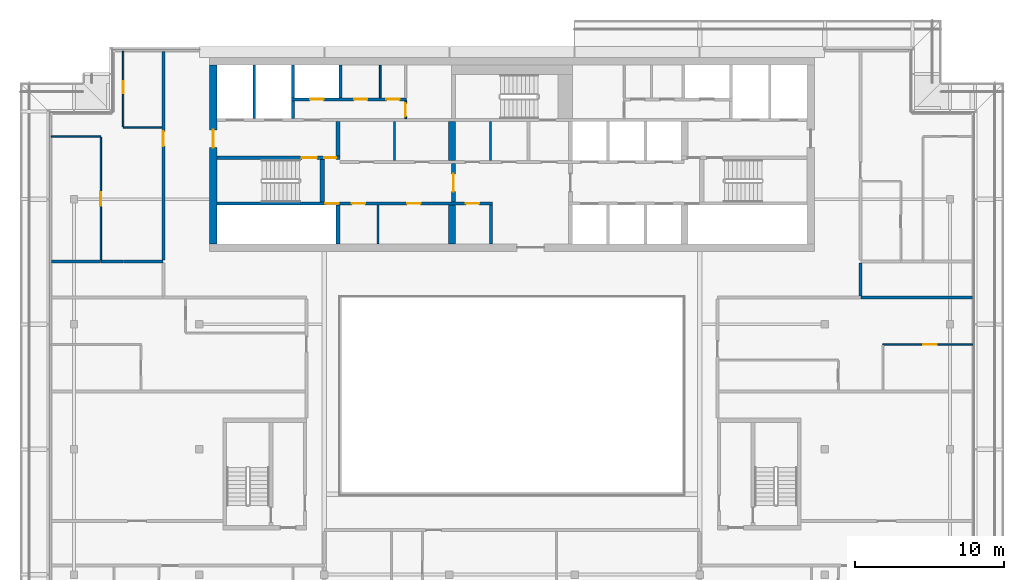
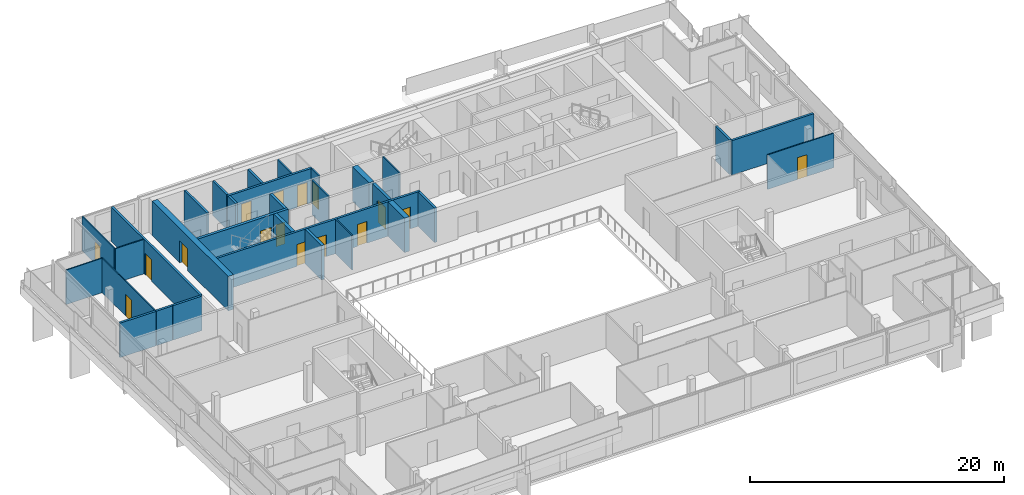
# One storey, part 17 of 27: 31 walls, 16 doors, 16 openings.
"""IFC4 building model written with IfcOpenShell, lengths in metres."""

from ifc_helpers import new_model, si_unit, direction, frame, frame_2d, origin, place, context, subcontext, project, spatial, rectangle, extrude, material, layer, layer_set, type_object, element, fill, save


model = new_model("IFC4")

# Units and contexts
model_context = context("Model", 3, precision=1e-05, world=origin(), true_north=direction((0.0, 1.0)))
body_context = subcontext(model_context, "Body", "Model", "MODEL_VIEW")
ifc_project = project(units=[si_unit("LENGTHUNIT", "METRE"), si_unit("AREAUNIT", "SQUARE_METRE"), si_unit("VOLUMEUNIT", "CUBIC_METRE"), si_unit("PLANEANGLEUNIT", "RADIAN"), si_unit("MASSUNIT", "GRAM", prefix="KILO")], contexts=[model_context])

# Site, building, storey
site_placement = place(None, origin())
site = spatial("IfcSite", under=ifc_project, at=site_placement, CompositionType="ELEMENT")
building_placement = place(site_placement, origin())
building = spatial("IfcBuilding", under=site, at=building_placement, Name="Saffron Gate Tower", CompositionType="ELEMENT")
storey_placement = place(building_placement, frame((0.0, 0.0, 274.35009765625)))
storey = spatial("IfcBuildingStorey", under=building, at=storey_placement, Name="L66", CompositionType="ELEMENT", Elevation=274.35009765625)

# Wall
ifc_material_1 = material(Name="Gypsum board partition on steel studs", Category="steel")
ifc_layer_1 = layer(ifc_material_1, 0.199951171875)
ifc_layer_set_1 = layer_set([ifc_layer_1], Name="CW10 Core partition 200")
wall_type_1 = type_object("IfcWallType", Name="CW10 Core partition 200", PredefinedType="PARTITIONING", material=ifc_layer_set_1)
wall_1_placement = place(storey_placement, frame((86.199951171875, 62.39990234375, 0.0), z_axis=(0.0, 0.0, 1.0), x_axis=(0.0, 1.0, 0.0)))
element("IfcWall", 1, at=wall_1_placement, inside=storey, type_object=wall_type_1, Name="Wall CW10-L66-8", PredefinedType="PARTITIONING", context=body_context, shape_type="SweptSolid", body=[
    extrude(rectangle(XDim=2.60009765625, YDim=0.199951171875, at=frame_2d((1.300048828125, 0.0))), origin(), (0.0, 0.0, 1.0), 3.31982421875),
])

# Wall, opening, door
ifc_material_2 = material(Name="Concrete C50", Category="concrete")
ifc_layer_2 = layer(ifc_material_2, 0.5)
ifc_layer_set_2 = layer_set([ifc_layer_2], Name="CW22 RC core wall 500 C50")
wall_type_2 = type_object("IfcWallType", Name="CW22 RC core wall 500 C50", PredefinedType="SOLIDWALL", material=ifc_layer_set_2)
wall_2_placement = place(storey_placement, frame((67.550048828125, 62.39990234375, 0.0), z_axis=(0.0, 0.0, 1.0), x_axis=(0.0, 1.0, 0.0)))
wall_2 = element("IfcWall", 2, at=wall_2_placement, inside=storey, type_object=wall_type_2, Name="Wall CW22-L66-3", PredefinedType="SOLIDWALL", context=body_context, shape_type="SweptSolid", body=[
    extrude(rectangle(XDim=12.0, YDim=0.5, at=frame_2d((6.0, 0.0))), origin(), (0.0, 0.0, 1.0), 3.31982421875),
])
opening_1_placement = place(wall_2_placement, frame((6.449951171875, 0.0, 0.0)))
opening_1 = element("IfcOpeningElement", 3, at=opening_1_placement, cuts=wall_2, Name="Opening CR-10", PredefinedType="OPENING", context=body_context, shape_type="SweptSolid", body=[
    extrude(rectangle(XDim=1.199951171875, YDim=2.10009765625, at=frame_2d((0.60009765625, 1.050048828125))), frame((0.0, 0.260009765625, 0.0), z_axis=(0.0, -1.0, 0.0), x_axis=(1.0, 0.0, 0.0)), (0.0, 0.0, 1.0), 0.52001953125),
])
ifc_material_3 = material(Name="Steel fire door set", Category="steel")
door_type_1 = type_object("IfcDoorType", Name="CD7 Core entrance door 1200x2100 EI 120", OperationType="NOTDEFINED", PredefinedType="DOOR", material=ifc_material_3)
door_1_placement = place(opening_1_placement, origin())
door_1 = element("IfcDoor", 4, at=door_1_placement, inside=storey, type_object=door_type_1, Name="DOOR CR-10", OperationType="SINGLE_SWING_LEFT", OverallHeight=2.10009765625, OverallWidth=1.199951171875, PredefinedType="DOOR", context=body_context, shape_type="SweptSolid", body=[
    extrude(rectangle(XDim=1.199951171875, YDim=2.10009765625, at=frame_2d((0.60009765625, 1.050048828125))), frame((0.0, 0.02490234375, 0.0), z_axis=(0.0, -1.0, 0.0), x_axis=(1.0, 0.0, 0.0)), (0.0, 0.0, 1.0), 0.050048828125),
])
fill(opening_1, door_1)

# Wall
ifc_layer_3 = layer(ifc_material_2, 0.25)
ifc_layer_set_3 = layer_set([ifc_layer_3], Name="CW23 RC core wall 250 C50")
wall_type_3 = type_object("IfcWallType", Name="CW23 RC core wall 250 C50", PredefinedType="SOLIDWALL", material=ifc_layer_set_3)
wall_3_placement = place(storey_placement, frame((75.925048828125, 62.39990234375, 0.0), z_axis=(0.0, 0.0, 1.0), x_axis=(0.0, 1.0, 0.0)))
element("IfcWall", 5, at=wall_3_placement, inside=storey, type_object=wall_type_3, Name="Wall CW23-L66-5", PredefinedType="SOLIDWALL", context=body_context, shape_type="SweptSolid", body=[
    extrude(rectangle(XDim=2.60009765625, YDim=0.25, at=frame_2d((1.300048828125, 0.0))), origin(), (0.0, 0.0, 1.0), 3.31982421875),
])

# Wall, opening, door
wall_4_placement = place(storey_placement, frame((83.675048828125, 65.199951171875, 0.0), z_axis=(0.0, 0.0, 1.0), x_axis=(0.0, 1.0, 0.0)))
wall_4 = element("IfcWall", 6, at=wall_4_placement, inside=storey, type_object=wall_type_3, Name="Wall CW23-L66-16", PredefinedType="SOLIDWALL", context=body_context, shape_type="SweptSolid", body=[
    extrude(rectangle(XDim=2.60009765625, YDim=0.25, at=frame_2d((1.300048828125, 0.0))), origin(), (0.0, 0.0, 1.0), 3.31982421875),
])
opening_2_placement = place(wall_4_placement, frame((0.699951171875, 0.0, 0.0)))
opening_2 = element("IfcOpeningElement", 7, at=opening_2_placement, cuts=wall_4, Name="Opening CR-07", PredefinedType="OPENING", context=body_context, shape_type="SweptSolid", body=[
    extrude(rectangle(XDim=1.199951171875, YDim=2.10009765625, at=frame_2d((0.60009765625, 1.050048828125))), frame((0.0, 0.135009765625, 0.0), z_axis=(0.0, -1.0, 0.0), x_axis=(1.0, 0.0, 0.0)), (0.0, 0.0, 1.0), 0.27001953125),
])
door_type_2 = type_object("IfcDoorType", Name="CD3 Lobby door 1200x2100 EI 120", OperationType="NOTDEFINED", PredefinedType="DOOR", material=ifc_material_3)
door_2_placement = place(opening_2_placement, origin())
door_2 = element("IfcDoor", 8, at=door_2_placement, inside=storey, type_object=door_type_2, Name="DOOR CR-07", OperationType="SINGLE_SWING_RIGHT", OverallHeight=2.10009765625, OverallWidth=1.199951171875, PredefinedType="DOOR", context=body_context, shape_type="SweptSolid", body=[
    extrude(rectangle(XDim=1.199951171875, YDim=2.10009765625, at=frame_2d((0.60009765625, 1.050048828125))), frame((0.0, 0.02490234375, 0.0), z_axis=(0.0, -1.0, 0.0), x_axis=(1.0, 0.0, 0.0)), (0.0, 0.0, 1.0), 0.050048828125),
])
fill(opening_2, door_2)

# Wall, openings, doors
wall_5_placement = place(storey_placement, frame((67.800048828125, 68.175048828125, 0.0), z_axis=(0.0, 0.0, 1.0), x_axis=(1.0, 0.0, 0.0)))
wall_5 = element("IfcWall", 9, at=wall_5_placement, inside=storey, type_object=wall_type_3, Name="Wall CW23-L66-28", PredefinedType="SOLIDWALL", context=body_context, shape_type="SweptSolid", body=[
    extrude(rectangle(XDim=8.25, YDim=0.25, at=frame_2d((4.125, 0.0))), origin(), (0.0, 0.0, 1.0), 3.31982421875),
])
opening_3_placement = place(wall_5_placement, frame((5.699951171875, 0.0, 0.0)))
opening_3 = element("IfcOpeningElement", 10, at=opening_3_placement, cuts=wall_5, Name="Opening CR-15", PredefinedType="OPENING", context=body_context, shape_type="SweptSolid", body=[
    extrude(rectangle(XDim=1.0, YDim=2.10009765625, at=frame_2d((0.5, 1.050048828125))), frame((0.0, 0.135009765625, 0.0), z_axis=(0.0, -1.0, 0.0), x_axis=(1.0, 0.0, 0.0)), (0.0, 0.0, 1.0), 0.27001953125),
])
opening_4_placement = place(wall_5_placement, frame((7.199951171875, 0.0, 0.0)))
opening_4 = element("IfcOpeningElement", 11, at=opening_4_placement, cuts=wall_5, Name="Opening CR-06", PredefinedType="OPENING", context=body_context, shape_type="SweptSolid", body=[
    extrude(rectangle(XDim=0.800048828125, YDim=2.10009765625, at=frame_2d((0.39990234375, 1.050048828125))), frame((0.0, 0.135009765625, 0.0), z_axis=(0.0, -1.0, 0.0), x_axis=(1.0, 0.0, 0.0)), (0.0, 0.0, 1.0), 0.27001953125),
])
door_type_3 = type_object("IfcDoorType", Name="CD5 Stair door 1000x2100 EI 120", OperationType="NOTDEFINED", PredefinedType="DOOR", material=ifc_material_3)
door_3_placement = place(opening_3_placement, origin())
door_3 = element("IfcDoor", 12, at=door_3_placement, inside=storey, type_object=door_type_3, Name="DOOR CR-15", OperationType="SINGLE_SWING_RIGHT", OverallHeight=2.10009765625, OverallWidth=1.0, PredefinedType="DOOR", context=body_context, shape_type="SweptSolid", body=[
    extrude(rectangle(XDim=1.0, YDim=2.10009765625, at=frame_2d((0.5, 1.050048828125))), frame((0.0, 0.02490234375, 0.0), z_axis=(0.0, -1.0, 0.0), x_axis=(1.0, 0.0, 0.0)), (0.0, 0.0, 1.0), 0.050048828125),
])
fill(opening_3, door_3)
door_type_4 = type_object("IfcDoorType", Name="CD6 Lobby door 800x2100 EI 120", OperationType="NOTDEFINED", PredefinedType="DOOR", material=ifc_material_3)
door_4_placement = place(opening_4_placement, origin())
door_4 = element("IfcDoor", 13, at=door_4_placement, inside=storey, type_object=door_type_4, Name="DOOR CR-06", OperationType="SINGLE_SWING_LEFT", OverallHeight=2.10009765625, OverallWidth=0.800048828125, PredefinedType="DOOR", context=body_context, shape_type="SweptSolid", body=[
    extrude(rectangle(XDim=0.800048828125, YDim=2.10009765625, at=frame_2d((0.39990234375, 1.050048828125))), frame((0.0, 0.02490234375, 0.0), z_axis=(0.0, -1.0, 0.0), x_axis=(1.0, 0.0, 0.0)), (0.0, 0.0, 1.0), 0.050048828125),
])
fill(opening_4, door_4)

# Walls
wall_6_placement = place(storey_placement, frame((75.925048828125, 68.300048828125, 0.0), z_axis=(0.0, 0.0, 1.0), x_axis=(0.0, 1.0, 0.0)))
element("IfcWall", 14, at=wall_6_placement, inside=storey, type_object=wall_type_3, Name="Wall CW23-L66-30", PredefinedType="SOLIDWALL", context=body_context, shape_type="SweptSolid", body=[
    extrude(rectangle(XDim=2.300048828125, YDim=0.25, at=frame_2d((1.14990234375, 0.0))), origin(), (0.0, 0.0, 1.0), 3.31982421875),
])
ifc_layer_4 = layer(ifc_material_2, 0.449951171875)
ifc_layer_set_4 = layer_set([ifc_layer_4], Name="CW24 RC core wall 450 C50")
wall_type_4 = type_object("IfcWallType", Name="CW24 RC core wall 450 C50", PredefinedType="SOLIDWALL", material=ifc_layer_set_4)
for number, where, z_axis, x_axis, name in (
    (15, (83.574951171875, 62.39990234375, 0.0), (0.0, 0.0, 1.0), (0.0, 1.0, 0.0), "Wall CW24-L66-7"),
    (16, (83.574951171875, 68.0, 0.0), (0.0, 0.0, 1.0), (0.0, 1.0, 0.0), "Wall CW24-L66-21"),
):
    element("IfcWall", number, at=place(storey_placement, frame(where, z_axis=z_axis, x_axis=x_axis)), inside=storey, type_object=wall_type_4, Name=name, PredefinedType="SOLIDWALL", context=body_context, shape_type="SweptSolid", body=[
        extrude(rectangle(XDim=2.60009765625, YDim=0.449951171875, at=frame_2d((1.300048828125, 0.0))), origin(), (0.0, 0.0, 1.0), 3.31982421875),
    ])

# Wall, openings, doors
ifc_layer_5 = layer(ifc_material_2, 0.199951171875)
ifc_layer_set_5 = layer_set([ifc_layer_5], Name="CW25 RC core wall 200 C50")
wall_type_5 = type_object("IfcWallType", Name="CW25 RC core wall 200 C50", PredefinedType="SOLIDWALL", material=ifc_layer_set_5)
wall_7_placement = place(storey_placement, frame((67.800048828125, 65.10009765625, 0.0), z_axis=(0.0, 0.0, 1.0), x_axis=(1.0, 0.0, 0.0)))
wall_7 = element("IfcWall", 17, at=wall_7_placement, inside=storey, type_object=wall_type_5, Name="Wall CW25-L66-13", PredefinedType="SOLIDWALL", context=body_context, shape_type="SweptSolid", body=[
    extrude(rectangle(XDim=18.5, YDim=0.199951171875, at=frame_2d((9.25, 0.0))), origin(), (0.0, 0.0, 1.0), 3.31982421875),
])
opening_5_placement = place(wall_7_placement, frame((7.27001953125, 0.0, 0.0)))
opening_5 = element("IfcOpeningElement", 18, at=opening_5_placement, cuts=wall_7, Name="Opening CR-49", PredefinedType="OPENING", context=body_context, shape_type="SweptSolid", body=[
    extrude(rectangle(XDim=0.89990234375, YDim=2.10009765625, at=frame_2d((0.449951171875, 1.050048828125))), frame((0.0, 0.10986328125, 0.0), z_axis=(0.0, -1.0, 0.0), x_axis=(1.0, 0.0, 0.0)), (0.0, 0.0, 1.0), 0.219970703125),
])
opening_6_placement = place(wall_7_placement, frame((9.050048828125, 0.0, 0.0)))
opening_6 = element("IfcOpeningElement", 19, at=opening_6_placement, cuts=wall_7, Name="Opening CR-64", PredefinedType="OPENING", context=body_context, shape_type="SweptSolid", body=[
    extrude(rectangle(XDim=0.89990234375, YDim=2.10009765625, at=frame_2d((0.449951171875, 1.050048828125))), frame((0.0, 0.10986328125, 0.0), z_axis=(0.0, -1.0, 0.0), x_axis=(1.0, 0.0, 0.0)), (0.0, 0.0, 1.0), 0.219970703125),
])
opening_7_placement = place(wall_7_placement, frame((12.760009765625, 0.0, 0.0)))
opening_7 = element("IfcOpeningElement", 20, at=opening_7_placement, cuts=wall_7, Name="Opening CR-65", PredefinedType="OPENING", context=body_context, shape_type="SweptSolid", body=[
    extrude(rectangle(XDim=0.89990234375, YDim=2.10009765625, at=frame_2d((0.449951171875, 1.050048828125))), frame((0.0, 0.10986328125, 0.0), z_axis=(0.0, -1.0, 0.0), x_axis=(1.0, 0.0, 0.0)), (0.0, 0.0, 1.0), 0.219970703125),
])
opening_8_placement = place(wall_7_placement, frame((16.699951171875, 0.0, 0.0)))
opening_8 = element("IfcOpeningElement", 21, at=opening_8_placement, cuts=wall_7, Name="Opening CR-69", PredefinedType="OPENING", context=body_context, shape_type="SweptSolid", body=[
    extrude(rectangle(XDim=0.89990234375, YDim=2.10009765625, at=frame_2d((0.449951171875, 1.050048828125))), frame((0.0, 0.10986328125, 0.0), z_axis=(0.0, -1.0, 0.0), x_axis=(1.0, 0.0, 0.0)), (0.0, 0.0, 1.0), 0.219970703125),
])
door_type_5 = type_object("IfcDoorType", Name="CD2 Riser door 900x2100 EI 60", OperationType="NOTDEFINED", PredefinedType="DOOR", material=ifc_material_3)
door_5_placement = place(opening_5_placement, origin())
door_5 = element("IfcDoor", 22, at=door_5_placement, inside=storey, type_object=door_type_5, Name="DOOR CR-49", OperationType="SINGLE_SWING_LEFT", OverallHeight=2.10009765625, OverallWidth=0.89990234375, PredefinedType="DOOR", context=body_context, shape_type="SweptSolid", body=[
    extrude(rectangle(XDim=0.89990234375, YDim=2.10009765625, at=frame_2d((0.449951171875, 1.050048828125))), frame((0.0, 0.02490234375, 0.0), z_axis=(0.0, -1.0, 0.0), x_axis=(1.0, 0.0, 0.0)), (0.0, 0.0, 1.0), 0.050048828125),
])
fill(opening_5, door_5)
door_type_6 = type_object("IfcDoorType", Name="CD9 Room door 900x2100 EI 60", OperationType="NOTDEFINED", PredefinedType="DOOR", material=ifc_material_3)
door_6_placement = place(opening_6_placement, origin())
door_6 = element("IfcDoor", 23, at=door_6_placement, inside=storey, type_object=door_type_6, Name="DOOR CR-64", OperationType="SINGLE_SWING_RIGHT", OverallHeight=2.10009765625, OverallWidth=0.89990234375, PredefinedType="DOOR", context=body_context, shape_type="SweptSolid", body=[
    extrude(rectangle(XDim=0.89990234375, YDim=2.10009765625, at=frame_2d((0.449951171875, 1.050048828125))), frame((0.0, 0.02490234375, 0.0), z_axis=(0.0, -1.0, 0.0), x_axis=(1.0, 0.0, 0.0)), (0.0, 0.0, 1.0), 0.050048828125),
])
fill(opening_6, door_6)
door_7_placement = place(opening_7_placement, origin())
door_7 = element("IfcDoor", 24, at=door_7_placement, inside=storey, type_object=door_type_6, Name="DOOR CR-65", OperationType="SINGLE_SWING_RIGHT", OverallHeight=2.10009765625, OverallWidth=0.89990234375, PredefinedType="DOOR", context=body_context, shape_type="SweptSolid", body=[
    extrude(rectangle(XDim=0.89990234375, YDim=2.10009765625, at=frame_2d((0.449951171875, 1.050048828125))), frame((0.0, 0.02490234375, 0.0), z_axis=(0.0, -1.0, 0.0), x_axis=(1.0, 0.0, 0.0)), (0.0, 0.0, 1.0), 0.050048828125),
])
fill(opening_7, door_7)
door_8_placement = place(opening_8_placement, origin())
door_8 = element("IfcDoor", 25, at=door_8_placement, inside=storey, type_object=door_type_6, Name="DOOR CR-69", OperationType="SINGLE_SWING_RIGHT", OverallHeight=2.10009765625, OverallWidth=0.89990234375, PredefinedType="DOOR", context=body_context, shape_type="SweptSolid", body=[
    extrude(rectangle(XDim=0.89990234375, YDim=2.10009765625, at=frame_2d((0.449951171875, 1.050048828125))), frame((0.0, 0.02490234375, 0.0), z_axis=(0.0, -1.0, 0.0), x_axis=(1.0, 0.0, 0.0)), (0.0, 0.0, 1.0), 0.050048828125),
])
fill(opening_8, door_8)

# Walls
wall_8_placement = place(storey_placement, frame((70.300048828125, 70.800048828125, 0.0), z_axis=(0.0, 0.0, 1.0), x_axis=(0.0, 1.0, 0.0)))
element("IfcWall", 26, at=wall_8_placement, inside=storey, type_object=wall_type_5, Name="Wall CW25-L66-33", PredefinedType="SOLIDWALL", context=body_context, shape_type="SweptSolid", body=[
    extrude(rectangle(XDim=3.599853515625, YDim=0.199951171875, at=frame_2d((1.7998046875, 0.0))), origin(), (0.0, 0.0, 1.0), 3.31982421875),
])
wall_9_placement = place(storey_placement, frame((72.89990234375, 70.800048828125, 0.0), z_axis=(0.0, 0.0, 1.0), x_axis=(0.0, 1.0, 0.0)))
element("IfcWall", 27, at=wall_9_placement, inside=storey, type_object=wall_type_5, Name="Wall CW25-L66-34", PredefinedType="SOLIDWALL", context=body_context, shape_type="SweptSolid", body=[
    extrude(rectangle(XDim=1.199951171875, YDim=0.199951171875, at=frame_2d((0.60009765625, 0.0))), origin(), (0.0, 0.0, 1.0), 3.31982421875),
])

# Wall, openings, doors
wall_10_placement = place(storey_placement, frame((72.800048828125, 72.10009765625, 0.0), z_axis=(0.0, 0.0, 1.0), x_axis=(1.0, 0.0, 0.0)))
wall_10 = element("IfcWall", 28, at=wall_10_placement, inside=storey, type_object=wall_type_5, Name="Wall CW25-L66-41", PredefinedType="SOLIDWALL", context=body_context, shape_type="SweptSolid", body=[
    extrude(rectangle(XDim=7.719970703125, YDim=0.199951171875, at=frame_2d((3.85986328125, 0.0))), origin(), (0.0, 0.0, 1.0), 3.31982421875),
])
opening_9_placement = place(wall_10_placement, frame((1.25, 0.0, 0.0)))
opening_9 = element("IfcOpeningElement", 29, at=opening_9_placement, cuts=wall_10, Name="Opening CR-71", PredefinedType="OPENING", context=body_context, shape_type="SweptSolid", body=[
    extrude(rectangle(XDim=0.89990234375, YDim=2.10009765625, at=frame_2d((0.449951171875, 1.050048828125))), frame((0.0, 0.10986328125, 0.0), z_axis=(0.0, -1.0, 0.0), x_axis=(1.0, 0.0, 0.0)), (0.0, 0.0, 1.0), 0.219970703125),
])
opening_10_placement = place(wall_10_placement, frame((4.199951171875, 0.0, 0.0)))
opening_10 = element("IfcOpeningElement", 30, at=opening_10_placement, cuts=wall_10, Name="Opening CR-55", PredefinedType="OPENING", context=body_context, shape_type="SweptSolid", body=[
    extrude(rectangle(XDim=0.89990234375, YDim=2.10009765625, at=frame_2d((0.449951171875, 1.050048828125))), frame((0.0, 0.10986328125, 0.0), z_axis=(0.0, -1.0, 0.0), x_axis=(1.0, 0.0, 0.0)), (0.0, 0.0, 1.0), 0.219970703125),
])
opening_11_placement = place(wall_10_placement, frame((6.360107421875, 0.0, 0.0)))
opening_11 = element("IfcOpeningElement", 31, at=opening_11_placement, cuts=wall_10, Name="Opening CR-58", PredefinedType="OPENING", context=body_context, shape_type="SweptSolid", body=[
    extrude(rectangle(XDim=0.89990234375, YDim=2.10009765625, at=frame_2d((0.449951171875, 1.050048828125))), frame((0.0, 0.10986328125, 0.0), z_axis=(0.0, -1.0, 0.0), x_axis=(1.0, 0.0, 0.0)), (0.0, 0.0, 1.0), 0.219970703125),
])
door_9_placement = place(opening_9_placement, origin())
door_9 = element("IfcDoor", 32, at=door_9_placement, inside=storey, type_object=door_type_5, Name="DOOR CR-71", OperationType="SINGLE_SWING_LEFT", OverallHeight=2.10009765625, OverallWidth=0.89990234375, PredefinedType="DOOR", context=body_context, shape_type="SweptSolid", body=[
    extrude(rectangle(XDim=0.89990234375, YDim=2.10009765625, at=frame_2d((0.449951171875, 1.050048828125))), frame((0.0, 0.02490234375, 0.0), z_axis=(0.0, -1.0, 0.0), x_axis=(1.0, 0.0, 0.0)), (0.0, 0.0, 1.0), 0.050048828125),
])
fill(opening_9, door_9)
door_10_placement = place(opening_10_placement, origin())
door_10 = element("IfcDoor", 33, at=door_10_placement, inside=storey, type_object=door_type_6, Name="DOOR CR-55", OperationType="SINGLE_SWING_LEFT", OverallHeight=2.10009765625, OverallWidth=0.89990234375, PredefinedType="DOOR", context=body_context, shape_type="SweptSolid", body=[
    extrude(rectangle(XDim=0.89990234375, YDim=2.10009765625, at=frame_2d((0.449951171875, 1.050048828125))), frame((0.0, 0.02490234375, 0.0), z_axis=(0.0, -1.0, 0.0), x_axis=(1.0, 0.0, 0.0)), (0.0, 0.0, 1.0), 0.050048828125),
])
fill(opening_10, door_10)
door_11_placement = place(opening_11_placement, origin())
door_11 = element("IfcDoor", 34, at=door_11_placement, inside=storey, type_object=door_type_6, Name="DOOR CR-58", OperationType="SINGLE_SWING_LEFT", OverallHeight=2.10009765625, OverallWidth=0.89990234375, PredefinedType="DOOR", context=body_context, shape_type="SweptSolid", body=[
    extrude(rectangle(XDim=0.89990234375, YDim=2.10009765625, at=frame_2d((0.449951171875, 1.050048828125))), frame((0.0, 0.02490234375, 0.0), z_axis=(0.0, -1.0, 0.0), x_axis=(1.0, 0.0, 0.0)), (0.0, 0.0, 1.0), 0.050048828125),
])
fill(opening_11, door_11)

# Walls
for number, where, z_axis, x_axis, name in (
    (35, (72.89990234375, 72.199951171875, 0.0), (0.0, 0.0, 1.0), (0.0, 1.0, 0.0), "Wall CW25-L66-43"),
    (36, (76.10009765625, 72.199951171875, 0.0), (0.0, 0.0, 1.0), (0.0, 1.0, 0.0), "Wall CW25-L66-44"),
):
    element("IfcWall", number, at=place(storey_placement, frame(where, z_axis=z_axis, x_axis=x_axis)), inside=storey, type_object=wall_type_5, Name=name, PredefinedType="SOLIDWALL", context=body_context, shape_type="SweptSolid", body=[
        extrude(rectangle(XDim=2.199951171875, YDim=0.199951171875, at=frame_2d((1.10009765625, 0.0))), origin(), (0.0, 0.0, 1.0), 3.31982421875),
    ])
ifc_layer_6 = layer(ifc_material_2, 0.300048828125)
ifc_layer_set_6 = layer_set([ifc_layer_6], Name="CW26 RC core wall 300 C50")
wall_type_6 = type_object("IfcWallType", Name="CW26 RC core wall 300 C50", PredefinedType="SOLIDWALL", material=ifc_layer_set_6)
wall_11_placement = place(storey_placement, frame((74.85009765625, 65.199951171875, 0.0), z_axis=(0.0, 0.0, 1.0), x_axis=(0.0, 1.0, 0.0)))
element("IfcWall", 37, at=wall_11_placement, inside=storey, type_object=wall_type_6, Name="Wall CW26-L66-15", PredefinedType="SOLIDWALL", context=body_context, shape_type="SweptSolid", body=[
    extrude(rectangle(XDim=2.85009765625, YDim=0.300048828125, at=frame_2d((1.425048828125, 0.0))), origin(), (0.0, 0.0, 1.0), 3.31982421875),
])
ifc_layer_7 = layer(ifc_material_1, 0.1201171875)
ifc_layer_set_7 = layer_set([ifc_layer_7], Name="CW8 Core partition 120")
wall_type_7 = type_object("IfcWallType", Name="CW8 Core partition 120", PredefinedType="PARTITIONING", material=ifc_layer_set_7)
for number, where, z_axis, x_axis, name in (
    (38, (78.610107421875, 62.39990234375, 0.0), (0.0, 0.0, 1.0), (0.0, 1.0, 0.0), "Wall CW8-L66-6"),
    (39, (79.7099609375, 68.0, 0.0), (0.0, 0.0, 1.0), (0.0, 1.0, 0.0), "Wall CW8-L66-20"),
    (40, (86.159912109375, 68.0, 0.0), (0.0, 0.0, 1.0), (0.0, 1.0, 0.0), "Wall CW8-L66-22"),
):
    element("IfcWall", number, at=place(storey_placement, frame(where, z_axis=z_axis, x_axis=x_axis)), inside=storey, type_object=wall_type_7, Name=name, PredefinedType="PARTITIONING", context=body_context, shape_type="SweptSolid", body=[
        extrude(rectangle(XDim=2.60009765625, YDim=0.1201171875, at=frame_2d((1.300048828125, 0.0))), origin(), (0.0, 0.0, 1.0), 3.31982421875),
    ])

# Wall, opening, door
wall_12_placement = place(storey_placement, frame((80.4599609375, 70.800048828125, 0.0), z_axis=(0.0, 0.0, 1.0), x_axis=(0.0, 1.0, 0.0)))
wall_12 = element("IfcWall", 41, at=wall_12_placement, inside=storey, type_object=wall_type_7, Name="Wall CW8-L66-35", PredefinedType="PARTITIONING", context=body_context, shape_type="SweptSolid", body=[
    extrude(rectangle(XDim=1.199951171875, YDim=0.1201171875, at=frame_2d((0.60009765625, 0.0))), origin(), (0.0, 0.0, 1.0), 3.31982421875),
])
opening_12_placement = place(wall_12_placement, frame((0.14990234375, 0.0, 0.0)))
opening_12 = element("IfcOpeningElement", 42, at=opening_12_placement, cuts=wall_12, Name="Opening CR-60", PredefinedType="OPENING", context=body_context, shape_type="SweptSolid", body=[
    extrude(rectangle(XDim=0.89990234375, YDim=2.10009765625, at=frame_2d((0.449951171875, 1.050048828125))), frame((0.0, 0.070068359375, 0.0), z_axis=(0.0, -1.0, 0.0), x_axis=(1.0, 0.0, 0.0)), (0.0, 0.0, 1.0), 0.14013671875),
])
door_12_placement = place(opening_12_placement, origin())
door_12 = element("IfcDoor", 43, at=door_12_placement, inside=storey, type_object=door_type_6, Name="DOOR CR-60", OperationType="SINGLE_SWING_RIGHT", OverallHeight=2.10009765625, OverallWidth=0.89990234375, PredefinedType="DOOR", context=body_context, shape_type="SweptSolid", body=[
    extrude(rectangle(XDim=0.89990234375, YDim=2.10009765625, at=frame_2d((0.449951171875, 1.050048828125))), frame((0.0, 0.02490234375, 0.0), z_axis=(0.0, -1.0, 0.0), x_axis=(1.0, 0.0, 0.0)), (0.0, 0.0, 1.0), 0.050048828125),
])
fill(opening_12, door_12)

# Wall
wall_13_placement = place(storey_placement, frame((78.760009765625, 72.199951171875, 0.0), z_axis=(0.0, 0.0, 1.0), x_axis=(0.0, 1.0, 0.0)))
element("IfcWall", 44, at=wall_13_placement, inside=storey, type_object=wall_type_7, Name="Wall CW8-L66-45", PredefinedType="PARTITIONING", context=body_context, shape_type="SweptSolid", body=[
    extrude(rectangle(XDim=2.199951171875, YDim=0.1201171875, at=frame_2d((1.10009765625, 0.0))), origin(), (0.0, 0.0, 1.0), 3.31982421875),
])

# Wall, opening, door
ifc_material_4 = material(Name="Plasterboard on steel studs", Category="steel")
ifc_layer_8 = layer(ifc_material_4, 0.10009765625)
ifc_layer_set_8 = layer_set([ifc_layer_8], Name="PW1 Partition 100")
wall_type_8 = type_object("IfcWallType", Name="PW1 Partition 100", PredefinedType="PARTITIONING", material=ifc_layer_set_8)
wall_14_placement = place(storey_placement, frame((118.52001953125, 55.64990234375, 0.0), z_axis=(0.0, 0.0, 1.0), x_axis=(-1.0, 0.0, 0.0)))
wall_14 = element("IfcWall", 45, at=wall_14_placement, inside=storey, type_object=wall_type_8, Name="Partition E3-16", PredefinedType="PARTITIONING", context=body_context, shape_type="SweptSolid", body=[
    extrude(rectangle(XDim=6.02001953125, YDim=0.10009765625, at=frame_2d((3.010009765625, 0.0))), origin(), (0.0, 0.0, 1.0), 3.31982421875),
])
opening_13_placement = place(wall_14_placement, frame((2.419921875, 0.0, 0.0)))
opening_13 = element("IfcOpeningElement", 46, at=opening_13_placement, cuts=wall_14, Name="Opening E3-20", PredefinedType="OPENING", context=body_context, shape_type="SweptSolid", body=[
    extrude(rectangle(XDim=0.89990234375, YDim=2.10009765625, at=frame_2d((0.449951171875, 1.050048828125))), frame((0.0, 0.06005859375, 0.0), z_axis=(0.0, -1.0, 0.0), x_axis=(1.0, 0.0, 0.0)), (0.0, 0.0, 1.0), 0.1201171875),
])
ifc_material_5 = material(Name="Timber door set", Category="wood")
door_type_7 = type_object("IfcDoorType", Name="RD1 Room door 900x2100", OperationType="NOTDEFINED", PredefinedType="DOOR", material=ifc_material_5)
door_13_placement = place(opening_13_placement, origin())
door_13 = element("IfcDoor", 47, at=door_13_placement, inside=storey, type_object=door_type_7, Name="Door E3-20", OperationType="SINGLE_SWING_LEFT", OverallHeight=2.10009765625, OverallWidth=0.89990234375, PredefinedType="DOOR", context=body_context, shape_type="SweptSolid", body=[
    extrude(rectangle(XDim=0.89990234375, YDim=2.10009765625, at=frame_2d((0.449951171875, 1.050048828125))), frame((0.0, 0.02490234375, 0.0), z_axis=(0.0, -1.0, 0.0), x_axis=(1.0, 0.0, 0.0)), (0.0, 0.0, 1.0), 0.050048828125),
])
fill(opening_13, door_13)

# Walls
wall_15_placement = place(storey_placement, frame((56.679931640625, 69.60009765625, 0.0), z_axis=(0.0, 0.0, 1.0), x_axis=(1.0, 0.0, 0.0)))
element("IfcWall", 48, at=wall_15_placement, inside=storey, type_object=wall_type_8, Name="Partition E3-29", PredefinedType="PARTITIONING", context=body_context, shape_type="SweptSolid", body=[
    extrude(rectangle(XDim=3.320068359375, YDim=0.10009765625, at=frame_2d((1.66015625, 0.0))), origin(), (0.0, 0.0, 1.0), 3.31982421875),
])
wall_16_placement = place(storey_placement, frame((61.5, 70.199951171875, 0.0), z_axis=(0.0, 0.0, 1.0), x_axis=(1.0, 0.0, 0.0)))
element("IfcWall", 49, at=wall_16_placement, inside=storey, type_object=wall_type_8, Name="Partition E3-31", PredefinedType="PARTITIONING", context=body_context, shape_type="SweptSolid", body=[
    extrude(rectangle(XDim=2.60009765625, YDim=0.10009765625, at=frame_2d((1.300048828125, 0.0))), origin(), (0.0, 0.0, 1.0), 3.31982421875),
])

# Wall, opening, door
wall_17_placement = place(storey_placement, frame((60.0, 61.300048828125, 0.0), z_axis=(0.0, 0.0, 1.0), x_axis=(0.0, 1.0, 0.0)))
wall_17 = element("IfcWall", 50, at=wall_17_placement, inside=storey, type_object=wall_type_8, Name="Partition E3-32", PredefinedType="PARTITIONING", context=body_context, shape_type="SweptSolid", body=[
    extrude(rectangle(XDim=8.25, YDim=0.10009765625, at=frame_2d((4.125, 0.0))), origin(), (0.0, 0.0, 1.0), 3.31982421875),
])
opening_14_placement = place(wall_17_placement, frame((3.64990234375, 0.0, 0.0)))
opening_14 = element("IfcOpeningElement", 51, at=opening_14_placement, cuts=wall_17, Name="Opening E3-19", PredefinedType="OPENING", context=body_context, shape_type="SweptSolid", body=[
    extrude(rectangle(XDim=0.89990234375, YDim=2.10009765625, at=frame_2d((0.449951171875, 1.050048828125))), frame((0.0, 0.06005859375, 0.0), z_axis=(0.0, -1.0, 0.0), x_axis=(1.0, 0.0, 0.0)), (0.0, 0.0, 1.0), 0.1201171875),
])
door_14_placement = place(opening_14_placement, origin())
door_14 = element("IfcDoor", 52, at=door_14_placement, inside=storey, type_object=door_type_7, Name="Door E3-19", OperationType="SINGLE_SWING_LEFT", OverallHeight=2.10009765625, OverallWidth=0.89990234375, PredefinedType="DOOR", context=body_context, shape_type="SweptSolid", body=[
    extrude(rectangle(XDim=0.89990234375, YDim=2.10009765625, at=frame_2d((0.449951171875, 1.050048828125))), frame((0.0, 0.02490234375, 0.0), z_axis=(0.0, -1.0, 0.0), x_axis=(1.0, 0.0, 0.0)), (0.0, 0.0, 1.0), 0.050048828125),
])
fill(opening_14, door_14)

wall_18_placement = place(storey_placement, frame((61.5, 75.320068359375, 0.0), z_axis=(0.0, 0.0, 1.0), x_axis=(0.0, -1.0, 0.0)))
wall_18 = element("IfcWall", 53, at=wall_18_placement, inside=storey, type_object=wall_type_8, Name="Partition E3-34", PredefinedType="PARTITIONING", context=body_context, shape_type="SweptSolid", body=[
    extrude(rectangle(XDim=5.070068359375, YDim=0.10009765625, at=frame_2d((2.53515625, 0.0))), origin(), (0.0, 0.0, 1.0), 3.31982421875),
])
opening_15_placement = place(wall_18_placement, frame((2.02001953125, 0.0, 0.0)))
opening_15 = element("IfcOpeningElement", 54, at=opening_15_placement, cuts=wall_18, Name="Opening E3-29", PredefinedType="OPENING", context=body_context, shape_type="SweptSolid", body=[
    extrude(rectangle(XDim=0.800048828125, YDim=2.10009765625, at=frame_2d((0.39990234375, 1.050048828125))), frame((0.0, 0.06005859375, 0.0), z_axis=(0.0, -1.0, 0.0), x_axis=(1.0, 0.0, 0.0)), (0.0, 0.0, 1.0), 0.1201171875),
])
door_type_8 = type_object("IfcDoorType", Name="RD2 Bathroom door 800x2100", OperationType="NOTDEFINED", PredefinedType="DOOR", material=ifc_material_5)
door_15_placement = place(opening_15_placement, origin())
door_15 = element("IfcDoor", 55, at=door_15_placement, inside=storey, type_object=door_type_8, Name="Door E3-29", OperationType="SINGLE_SWING_LEFT", OverallHeight=2.10009765625, OverallWidth=0.800048828125, PredefinedType="DOOR", context=body_context, shape_type="SweptSolid", body=[
    extrude(rectangle(XDim=0.800048828125, YDim=2.10009765625, at=frame_2d((0.39990234375, 1.050048828125))), frame((0.0, 0.02490234375, 0.0), z_axis=(0.0, -1.0, 0.0), x_axis=(1.0, 0.0, 0.0)), (0.0, 0.0, 1.0), 0.050048828125),
])
fill(opening_15, door_15)

ifc_material_6 = material(Name="Clay brick masonry, rendered", Category="masonry")
ifc_layer_9 = layer(ifc_material_6, 0.199951171875)
ifc_layer_set_9 = layer_set([ifc_layer_9], Name="PW3 Corridor wall 200")
wall_type_9 = type_object("IfcWallType", Name="PW3 Corridor wall 200", PredefinedType="PARTITIONING", material=ifc_layer_set_9)
wall_19_placement = place(storey_placement, frame((64.199951171875, 61.300048828125, 0.0), z_axis=(0.0, 0.0, 1.0), x_axis=(0.0, 1.0, 0.0)))
wall_19 = element("IfcWall", 56, at=wall_19_placement, inside=storey, type_object=wall_type_9, Name="Wall E3-38", PredefinedType="PARTITIONING", context=body_context, shape_type="SweptSolid", body=[
    extrude(rectangle(XDim=14.02001953125, YDim=0.199951171875, at=frame_2d((7.010009765625, 0.0))), origin(), (0.0, 0.0, 1.0), 3.31982421875),
])
opening_16_placement = place(wall_19_placement, frame((7.64990234375, 0.0, 0.0)))
opening_16 = element("IfcOpeningElement", 57, at=opening_16_placement, cuts=wall_19, Name="Opening E3-5", PredefinedType="OPENING", context=body_context, shape_type="SweptSolid", body=[
    extrude(rectangle(XDim=1.0, YDim=2.10009765625, at=frame_2d((0.5, 1.050048828125))), frame((0.0, 0.10986328125, 0.0), z_axis=(0.0, -1.0, 0.0), x_axis=(1.0, 0.0, 0.0)), (0.0, 0.0, 1.0), 0.219970703125),
])
ifc_material_7 = material(Name="Timber fire door set", Category="wood")
door_type_9 = type_object("IfcDoorType", Name="FD1 Flat entry door 1000x2100", OperationType="NOTDEFINED", PredefinedType="DOOR", material=ifc_material_7)
door_16_placement = place(opening_16_placement, origin())
door_16 = element("IfcDoor", 58, at=door_16_placement, inside=storey, type_object=door_type_9, Name="Door E3-5", OperationType="SINGLE_SWING_LEFT", OverallHeight=2.10009765625, OverallWidth=1.0, PredefinedType="DOOR", context=body_context, shape_type="SweptSolid", body=[
    extrude(rectangle(XDim=1.0, YDim=2.10009765625, at=frame_2d((0.5, 1.050048828125))), frame((0.0, 0.02490234375, 0.0), z_axis=(0.0, -1.0, 0.0), x_axis=(1.0, 0.0, 0.0)), (0.0, 0.0, 1.0), 0.050048828125),
])
fill(opening_16, door_16)

# Walls
ifc_layer_10 = layer(ifc_material_6, 0.199951171875)
ifc_layer_set_10 = layer_set([ifc_layer_10], Name="PW5 Room wall 200")
wall_type_10 = type_object("IfcWallType", Name="PW5 Room wall 200", PredefinedType="PARTITIONING", material=ifc_layer_set_10)
wall_20_placement = place(storey_placement, frame((111.02001953125, 58.800048828125, 0.0), z_axis=(0.0, 0.0, 1.0), x_axis=(1.0, 0.0, 0.0)))
element("IfcWall", 59, at=wall_20_placement, inside=storey, type_object=wall_type_10, Name="Wall E3-21", PredefinedType="PARTITIONING", context=body_context, shape_type="SweptSolid", body=[
    extrude(rectangle(XDim=7.47998046875, YDim=0.199951171875, at=frame_2d((3.739990234375, 0.0))), origin(), (0.0, 0.0, 1.0), 3.31982421875),
])
wall_21_placement = place(storey_placement, frame((56.699951171875, 61.199951171875, 0.0), z_axis=(0.0, 0.0, 1.0), x_axis=(1.0, 0.0, 0.0)))
element("IfcWall", 60, at=wall_21_placement, inside=storey, type_object=wall_type_10, Name="Wall E3-22", PredefinedType="PARTITIONING", context=body_context, shape_type="SweptSolid", body=[
    extrude(rectangle(XDim=3.280029296875, YDim=0.199951171875, at=frame_2d((1.64013671875, 0.0))), origin(), (0.0, 0.0, 1.0), 3.31982421875),
])
wall_22_placement = place(storey_placement, frame((60.02001953125, 61.199951171875, 0.0), z_axis=(0.0, 0.0, 1.0), x_axis=(1.0, 0.0, 0.0)))
element("IfcWall", 61, at=wall_22_placement, inside=storey, type_object=wall_type_10, Name="Wall E3-23", PredefinedType="PARTITIONING", context=body_context, shape_type="SweptSolid", body=[
    extrude(rectangle(XDim=1.4599609375, YDim=0.199951171875, at=frame_2d((0.72998046875, 0.0))), origin(), (0.0, 0.0, 1.0), 3.31982421875),
])
wall_23_placement = place(storey_placement, frame((61.52001953125, 61.199951171875, 0.0), z_axis=(0.0, 0.0, 1.0), x_axis=(1.0, 0.0, 0.0)))
element("IfcWall", 62, at=wall_23_placement, inside=storey, type_object=wall_type_10, Name="Wall E3-24", PredefinedType="PARTITIONING", context=body_context, shape_type="SweptSolid", body=[
    extrude(rectangle(XDim=2.659912109375, YDim=0.199951171875, at=frame_2d((1.330078125, 0.0))), origin(), (0.0, 0.0, 1.0), 3.31982421875),
])
wall_24_placement = place(storey_placement, frame((111.0, 61.10009765625, 0.0), z_axis=(0.0, 0.0, 1.0), x_axis=(0.0, -1.0, 0.0)))
element("IfcWall", 63, at=wall_24_placement, inside=storey, type_object=wall_type_10, Name="Wall E3-67", PredefinedType="PARTITIONING", context=body_context, shape_type="SweptSolid", body=[
    extrude(rectangle(XDim=2.2001953125, YDim=0.199951171875, at=frame_2d((1.10009765625, 0.0))), origin(), (0.0, 0.0, 1.0), 3.31982421875),
])

save(model, "model.ifc")
